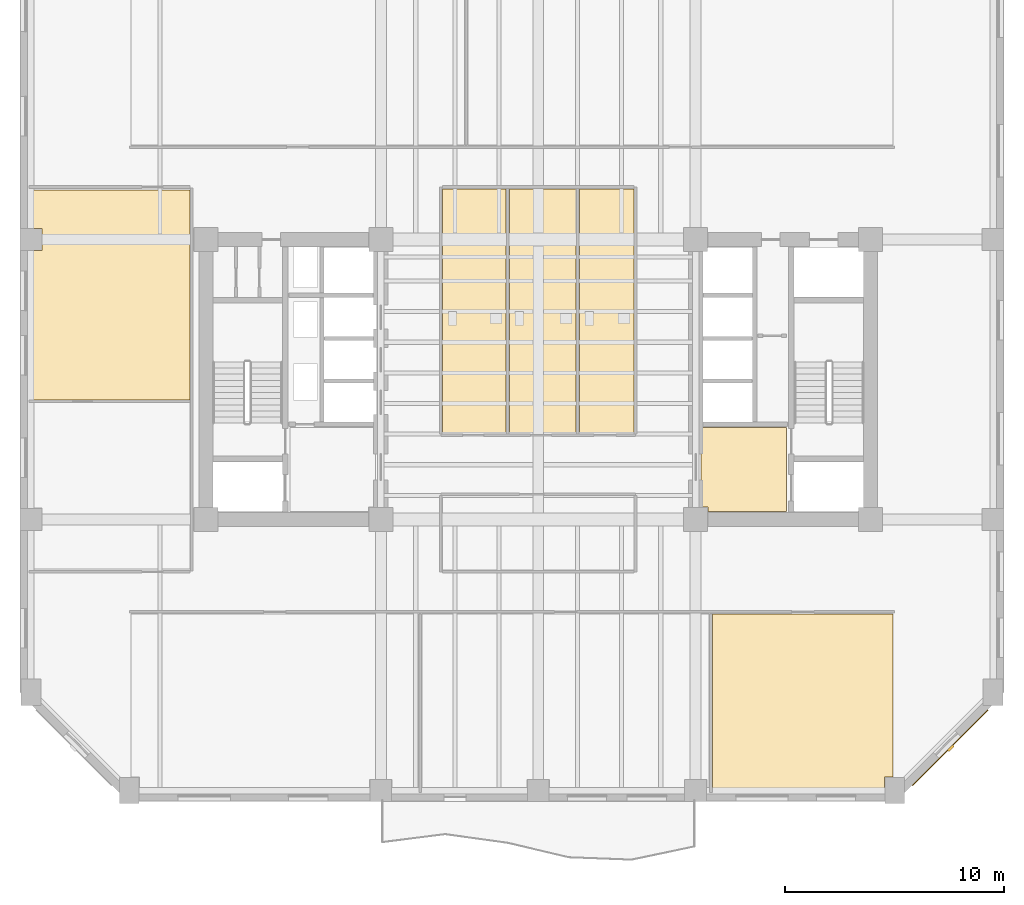
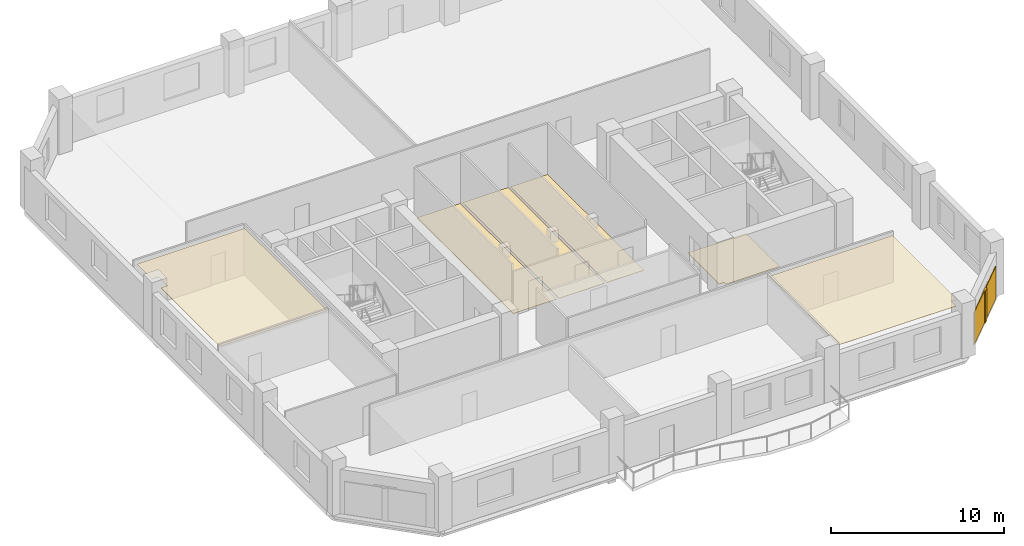
# One storey, part 7 of 10: 7 coverings, 1 shading device.
"""IFC4 building model written with IfcOpenShell, lengths in metres."""

from ifc_helpers import new_model, si_unit, direction, frame, origin, origin_2d, place, context, subcontext, project, spatial, polyline, rectangle, outline, extrude, material, layer, layer_set, type_object, element, save


model = new_model("IFC4")

# Units and contexts
model_context = context("Model", 3, precision=1e-05, world=origin(), true_north=direction((0.0, 1.0)))
body_context = subcontext(model_context, "Body", "Model", "MODEL_VIEW")
ifc_project = project(units=[si_unit("LENGTHUNIT", "METRE"), si_unit("AREAUNIT", "SQUARE_METRE"), si_unit("VOLUMEUNIT", "CUBIC_METRE"), si_unit("PLANEANGLEUNIT", "RADIAN"), si_unit("MASSUNIT", "GRAM", prefix="KILO")], contexts=[model_context])

# Site, building, storey
site_placement = place(None, origin())
site = spatial("IfcSite", under=ifc_project, at=site_placement, CompositionType="ELEMENT")
building_placement = place(site_placement, origin())
building = spatial("IfcBuilding", under=site, at=building_placement, Name="Kranthara Brick Stack", CompositionType="ELEMENT")
storey_placement = place(building_placement, frame((0.0, 0.0, 102.300048828125)))
storey = spatial("IfcBuildingStorey", under=building, at=storey_placement, Name="L25", CompositionType="ELEMENT", Elevation=102.300048828125)

# Coverings
ifc_material_1 = material(Name="Perforated mineral-fibre acoustic ceiling tile", Category="other")
ifc_layer_1 = layer(ifc_material_1, 0.02490234375)
ifc_layer_set_1 = layer_set([ifc_layer_1], Name="Perforated mineral-fibre acoustic ceiling tile")
covering_type_1 = type_object("IfcCoveringType", Name="COV-CEIL-ACOUSTIC", PredefinedType="CEILING", material=ifc_layer_set_1)
covering_1_placement = place(storey_placement, frame((0.0, 0.0, 3.329833984375)))
element("IfcCovering", 1, at=covering_1_placement, inside=storey, type_object=covering_type_1, Name="L25 L25 Boardroom 3 Acoustic Ceiling", PredefinedType="CEILING", context=body_context, shape_type="SweptSolid", body=[
    extrude(outline(polyline([(35.97998046875, 8.469970703125), (35.97998046875, 16.47998046875), (44.219970703125, 16.47998046875), (44.219970703125, 9.010009765625), (43.840087890625, 9.010009765625), (43.840087890625, 8.469970703125), (35.97998046875, 8.469970703125)])), origin(), (0.0, 0.0, 1.0), 0.025146484375),
])
covering_2_placement = place(storey_placement, frame((0.0, 0.0, 3.329833984375)))
element("IfcCovering", 2, at=covering_2_placement, inside=storey, type_object=covering_type_1, Name="L25 L25 West Executive Office 2 Acoustic Ceiling", PredefinedType="CEILING", context=body_context, shape_type="SweptSolid", body=[
    extrude(outline(polyline([(4.8701171875, 35.860107421875), (12.080078125, 35.860107421875), (12.080078125, 26.260009765625), (4.8701171875, 26.260009765625), (4.8701171875, 33.090087890625), (5.31005859375, 33.090087890625), (5.31005859375, 34.110107421875), (4.8701171875, 34.110107421875), (4.8701171875, 35.860107421875)])), origin(), (0.0, 0.0, 1.0), 0.025146484375),
])
ifc_material_2 = material(Name="Warm buff kiln-fired brick slip rainscreen", Category="masonry")
ifc_layer_2 = layer(ifc_material_2, 0.044921875)
ifc_layer_set_2 = layer_set([ifc_layer_2], Name="Warm buff kiln-fired brick slip rainscreen")
covering_type_2 = type_object("IfcCoveringType", Name="COV-CLAD-BRICK", PredefinedType="CLADDING", material=ifc_layer_set_2)
covering_3_placement = place(storey_placement, frame((46.843505859375, 10.3564453125, 0.0498046875), z_axis=(0.0, 0.0, 1.0), x_axis=(-0.707106781187, -0.707106781187, 0.0)))
element("IfcCovering", 3, at=covering_3_placement, inside=storey, type_object=covering_type_2, Name="L25 Chamfer Brick Rainscreen Cladding SE", PredefinedType="CLADDING", context=body_context, shape_type="SweptSolid", body=[
    extrude(rectangle(XDim=4.876953125, YDim=0.044921875, at=origin_2d()), origin(), (0.0, 0.0, 1.0), 2.300048828125),
])
ifc_material_3 = material(Name="Honed terrazzo and porcelain floor finish", Category="stone")
ifc_layer_3 = layer(ifc_material_3, 0.030029296875)
ifc_layer_set_3 = layer_set([ifc_layer_3], Name="Honed terrazzo and porcelain floor finish")
covering_type_3 = type_object("IfcCoveringType", Name="COV-FLOR-STONE", PredefinedType="FLOORING", material=ifc_layer_set_3)
covering_4_placement = place(storey_placement, origin())
element("IfcCovering", 4, at=covering_4_placement, inside=storey, type_object=covering_type_3, Name="L25 Lift Lobby Stone Flooring", PredefinedType="FLOORING", context=body_context, shape_type="SweptSolid", body=[
    extrude(outline(polyline([(35.449951171875, 25.0), (39.35009765625, 25.0), (39.35009765625, 21.14990234375), (35.760009765625, 21.14990234375), (35.760009765625, 21.360107421875), (35.449951171875, 21.360107421875), (35.449951171875, 25.0)])), origin(), (0.0, 0.0, 1.0), 0.030029296875),
])
covering_5_placement = place(storey_placement, origin())
element("IfcCovering", 5, at=covering_5_placement, inside=storey, type_object=covering_type_3, Name="L25 Wet Room Porcelain Flooring", PredefinedType="FLOORING", context=body_context, shape_type="SweptSolid", body=[
    extrude(outline(polyline([(26.52001953125, 24.75), (26.52001953125, 35.919921875), (23.6298828125, 35.919921875), (23.6298828125, 24.75), (26.52001953125, 24.75)])), origin(), (0.0, 0.0, 1.0), 0.030029296875),
])
covering_6_placement = place(storey_placement, origin())
element("IfcCovering", 6, at=covering_6_placement, inside=storey, type_object=covering_type_3, Name="L25 Wet Room Porcelain Flooring", PredefinedType="FLOORING", context=body_context, shape_type="SweptSolid", body=[
    extrude(outline(polyline([(29.719970703125, 24.75), (29.719970703125, 35.919921875), (26.679931640625, 35.919921875), (26.679931640625, 24.75), (29.719970703125, 24.75)])), origin(), (0.0, 0.0, 1.0), 0.030029296875),
])
covering_7_placement = place(storey_placement, origin())
element("IfcCovering", 7, at=covering_7_placement, inside=storey, type_object=covering_type_3, Name="L25 Wet Room Porcelain Flooring", PredefinedType="FLOORING", context=body_context, shape_type="SweptSolid", body=[
    extrude(outline(polyline([(32.3701171875, 24.75), (32.3701171875, 35.919921875), (29.8798828125, 35.919921875), (29.8798828125, 24.75), (32.3701171875, 24.75)])), origin(), (0.0, 0.0, 1.0), 0.030029296875),
])

# Shading device
ifc_material_4 = material(Name="Kiln-fired terracotta aerodynamic wind fin", Category="masonry")
shading_device_type = type_object("IfcShadingDeviceType", Name="SHD-BAFFLE-CORNER", PredefinedType="SHUTTER", material=ifc_material_4)
shading_device_placement = place(storey_placement, frame((46.86474609375, 10.335205078125, 0.0498046875), z_axis=(0.0, 0.0, 1.0), x_axis=(-0.707106781187, -0.707106781187, 0.0)))
element("IfcShadingDevice", 8, at=shading_device_placement, inside=storey, type_object=shading_device_type, Name="L25 Chamfer Wind-Baffle Fin SE", PredefinedType="SHUTTER", context=body_context, shape_type="SweptSolid", body=[
    extrude(rectangle(XDim=0.35009765625, YDim=0.1201171875, at=origin_2d()), origin(), (0.0, 0.0, 1.0), 2.300048828125),
])

save(model, "model.ifc")
